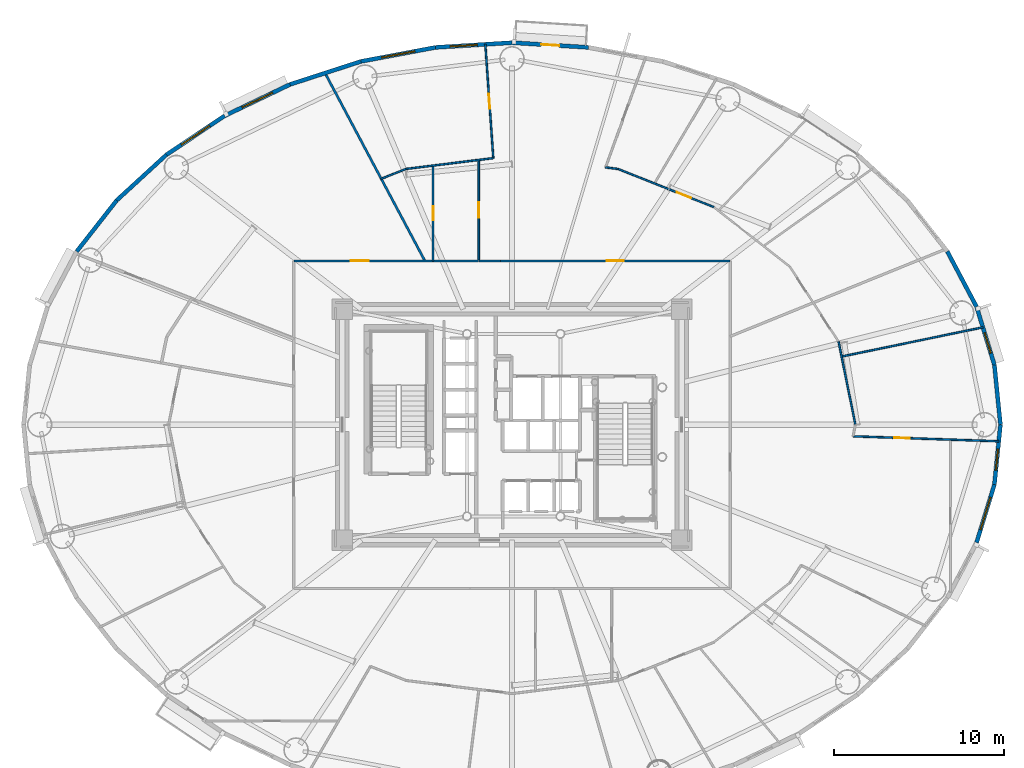
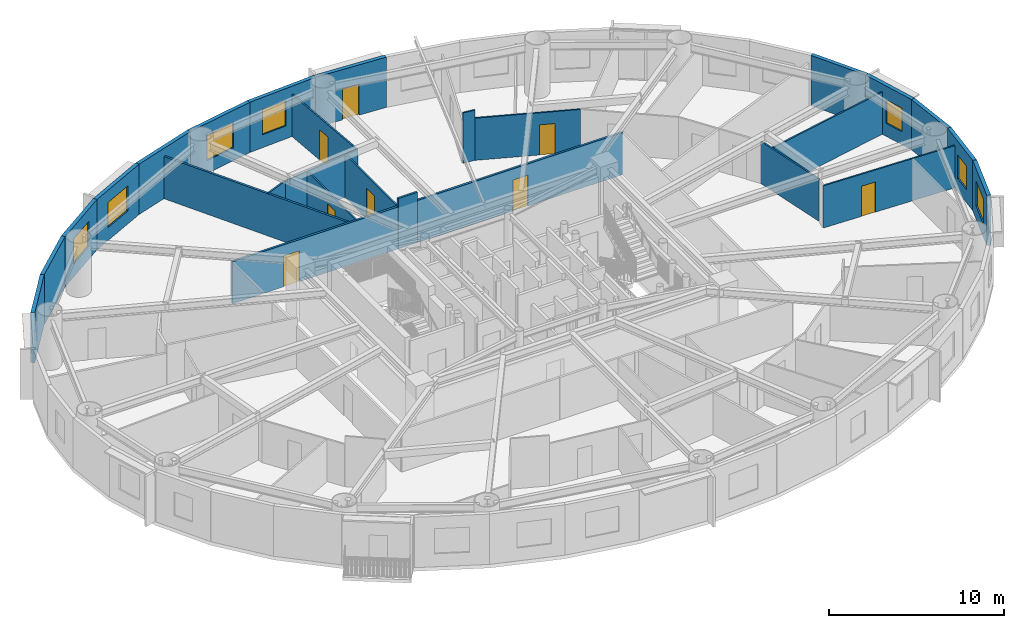
# One storey, part 15 of 22: 27 walls, 8 doors, 7 windows, 15 openings.
"""IFC4 building model written with IfcOpenShell, lengths in metres."""

from ifc_helpers import new_model, si_unit, direction, frame, frame_2d, origin, origin_2d, place, context, subcontext, project, spatial, rectangle, extrude, source, transform, mapped, material, layer, layer_set, type_object, element, fill, save


model = new_model("IFC4")

# Units and contexts
model_context = context("Model", 3, precision=1e-05, world=origin(), true_north=direction((0.0, 1.0)))
body_context = subcontext(model_context, "Body", "Model", "MODEL_VIEW")
ifc_project = project(units=[si_unit("LENGTHUNIT", "METRE"), si_unit("AREAUNIT", "SQUARE_METRE"), si_unit("VOLUMEUNIT", "CUBIC_METRE"), si_unit("PLANEANGLEUNIT", "RADIAN"), si_unit("MASSUNIT", "GRAM", prefix="KILO")], contexts=[model_context])

# Site, building, storey
site_placement = place(None, origin())
site = spatial("IfcSite", under=ifc_project, at=site_placement, CompositionType="ELEMENT")
building_placement = place(site_placement, origin())
building = spatial("IfcBuilding", under=site, at=building_placement, Name="Linh Dai School and Residence Tower", CompositionType="ELEMENT")
storey_placement = place(building_placement, frame((0.0, 0.0, 130.949951171875)))
storey = spatial("IfcBuildingStorey", under=building, at=storey_placement, Name="L31", CompositionType="ELEMENT", Elevation=130.949951171875)

# Wall
ifc_material_1 = material(Name="Precast Concrete B45 (C35/45)", Category="concrete")
ifc_layer_1 = layer(ifc_material_1, 0.239990234375)
ifc_layer_set_1 = layer_set([ifc_layer_1], Name="Precast Concrete B45 (C35/45)")
wall_type_1 = type_object("IfcWallType", Name="EW-TC-240", PredefinedType="SOLIDWALL", material=ifc_layer_set_1)
wall_1_placement = place(storey_placement, frame((64.421630859375, 30.515380859375, 0.0), z_axis=(0.0, 0.0, 1.0), x_axis=(0.099989468229, -0.994988495533, 0.0)))
element("IfcWall", 1, at=wall_1_placement, inside=storey, type_object=wall_type_1, Name="L31 Terracotta Exterior Wall 01", PredefinedType="SOLIDWALL", context=body_context, shape_type="SweptSolid", body=[
    extrude(rectangle(XDim=3.533203125, YDim=0.239990234375, at=frame_2d((1.7666015625, 0.0))), origin(), (0.0, 0.0, 1.0), 3.5),
])

# Wall, opening, window
wall_2_placement = place(storey_placement, frame((63.3701171875, 33.945068359375, 0.0), z_axis=(0.0, 0.0, 1.0), x_axis=(0.293124431344, -0.956074300329, 0.0)))
wall_2 = element("IfcWall", 2, at=wall_2_placement, inside=storey, type_object=wall_type_1, Name="L31 Terracotta Exterior Wall 02", PredefinedType="SOLIDWALL", context=body_context, shape_type="SweptSolid", body=[
    extrude(rectangle(XDim=3.587158203125, YDim=0.239990234375, at=frame_2d((1.79345703125, 0.0))), origin(), (0.0, 0.0, 1.0), 3.5),
])
opening_1_placement = place(wall_2_placement, frame((1.599365234375, 0.0, 0.89990234375)))
opening_1 = element("IfcOpeningElement", 3, at=opening_1_placement, cuts=wall_2, Name="Opening W3", PredefinedType="OPENING", context=body_context, shape_type="SweptSolid", body=[
    extrude(rectangle(XDim=1.25, YDim=1.64990234375, at=origin_2d()), frame((0.625, 0.1298828125, 0.824951171875), z_axis=(0.0, -1.0, 0.0), x_axis=(1.0, 0.0, 0.0)), (0.0, 0.0, 1.0), 0.260009765625),
])
ifc_material_2 = material(Name="Double Low-E Insulated Glazing", Category="glass")
window_type_1 = type_object("IfcWindowType", Name="WN-RES-1250x1650", PartitioningType="SINGLE_PANEL", PredefinedType="WINDOW", material=ifc_material_2)
shared_shape_1 = source(origin(), body_context, "Body", "SweptSolid", [
    extrude(rectangle(XDim=1.25, YDim=1.64990234375, at=origin_2d()), frame((0.625, 0.030029296875, 0.824951171875), z_axis=(0.0, -1.0, 0.0), x_axis=(1.0, 0.0, 0.0)), (0.0, 0.0, 1.0), 0.06005859375),
])
window_1_placement = place(opening_1_placement, origin())
window_1 = element("IfcWindow", 4, at=window_1_placement, inside=storey, type_object=window_type_1, Name="L31 Exterior Window 02.1", OverallHeight=1.64990234375, OverallWidth=1.25, PartitioningType="SINGLE_PANEL", PredefinedType="WINDOW", context=body_context, shape_type="MappedRepresentation", body=[
    mapped(shared_shape_1, transform((0.0, 0.0, 0.0), x_axis=(1.0, 0.0, 0.0), y_axis=(0.0, 1.0, 0.0), z_axis=(0.0, 0.0, 1.0), scale=1.0)),
])
fill(opening_1, window_1)

# Wall
wall_3_placement = place(storey_placement, frame((61.645263671875, 37.20556640625, 0.0), z_axis=(0.0, 0.0, 1.0), x_axis=(0.467614004126, -0.883932770716, 0.0)))
element("IfcWall", 5, at=wall_3_placement, inside=storey, type_object=wall_type_1, Name="L31 Terracotta Exterior Wall 03", PredefinedType="SOLIDWALL", context=body_context, shape_type="SweptSolid", body=[
    extrude(rectangle(XDim=3.688720703125, YDim=0.239990234375, at=frame_2d((1.84423828125, 0.0))), origin(), (0.0, 0.0, 1.0), 3.5),
])

# Wall, opening, door
wall_4_placement = place(storey_placement, frame((36.0, 49.5048828125, 0.0), z_axis=(0.0, 0.0, 1.0), x_axis=(0.998107531589, -0.061492726276, 0.0)))
wall_4 = element("IfcWall", 6, at=wall_4_placement, inside=storey, type_object=wall_type_1, Name="L31 Terracotta Exterior Wall 10", PredefinedType="SOLIDWALL", context=body_context, shape_type="SweptSolid", body=[
    extrude(rectangle(XDim=4.51416015625, YDim=0.239990234375, at=frame_2d((2.257080078125, 0.0))), origin(), (0.0, 0.0, 1.0), 3.5),
])
opening_2_placement = place(wall_4_placement, frame((1.732177734375, 0.0, 0.0)))
opening_2 = element("IfcOpeningElement", 7, at=opening_2_placement, cuts=wall_4, Name="Opening BD1", PredefinedType="OPENING", context=body_context, shape_type="SweptSolid", body=[
    extrude(rectangle(XDim=1.050048828125, YDim=2.14990234375, at=origin_2d()), frame((0.52490234375, 0.1298828125, 1.074951171875), z_axis=(0.0, -1.0, 0.0), x_axis=(1.0, 0.0, 0.0)), (0.0, 0.0, 1.0), 0.260009765625),
])
ifc_material_3 = material(Name="Double-Glazed Balcony Door", Category="glass")
door_type_1 = type_object("IfcDoorType", Name="DR-BALC-1050x2150", OperationType="NOTDEFINED", PredefinedType="DOOR", material=ifc_material_3)
shared_shape_2 = source(origin(), body_context, "Body", "SweptSolid", [
    extrude(rectangle(XDim=1.050048828125, YDim=2.14990234375, at=origin_2d()), frame((0.52490234375, 0.02490234375, 1.074951171875), z_axis=(0.0, -1.0, 0.0), x_axis=(1.0, 0.0, 0.0)), (0.0, 0.0, 1.0), 0.050048828125),
])
door_1_placement = place(opening_2_placement, origin())
door_1 = element("IfcDoor", 8, at=door_1_placement, inside=storey, type_object=door_type_1, Name="L31 Glazed Balcony Door 10", OperationType="SINGLE_SWING_RIGHT", OverallHeight=2.14990234375, OverallWidth=1.050048828125, PredefinedType="DOOR", context=body_context, shape_type="MappedRepresentation", body=[
    mapped(shared_shape_2, transform((0.0, 0.0, 0.0), x_axis=(1.0, 0.0, 0.0), y_axis=(0.0, 1.0, 0.0), z_axis=(0.0, 0.0, 1.0), scale=1.0)),
])
fill(opening_2, door_1)

# Wall, opening, window
wall_5_placement = place(storey_placement, frame((31.494384765625, 49.227294921875, 0.0), z_axis=(0.0, 0.0, 1.0), x_axis=(0.998107531589, 0.061492726276, 0.0)))
wall_5 = element("IfcWall", 9, at=wall_5_placement, inside=storey, type_object=wall_type_1, Name="L31 Terracotta Exterior Wall 11", PredefinedType="SOLIDWALL", context=body_context, shape_type="SweptSolid", body=[
    extrude(rectangle(XDim=4.51416015625, YDim=0.239990234375, at=frame_2d((2.257080078125, 0.0))), origin(), (0.0, 0.0, 1.0), 3.5),
])
opening_3_placement = place(wall_5_placement, frame((0.864501953125, 0.0, 0.89990234375)))
opening_3 = element("IfcOpeningElement", 10, at=opening_3_placement, cuts=wall_5, Name="Opening W2", PredefinedType="OPENING", context=body_context, shape_type="SweptSolid", body=[
    extrude(rectangle(XDim=1.60009765625, YDim=1.75, at=origin_2d()), frame((0.800048828125, 0.1298828125, 0.875), z_axis=(0.0, -1.0, 0.0), x_axis=(1.0, 0.0, 0.0)), (0.0, 0.0, 1.0), 0.260009765625),
])
window_type_2 = type_object("IfcWindowType", Name="WN-RES-1600x1750", PartitioningType="DOUBLE_PANEL_VERTICAL", PredefinedType="WINDOW", material=ifc_material_2)
shared_shape_3 = source(origin(), body_context, "Body", "SweptSolid", [
    extrude(rectangle(XDim=1.60009765625, YDim=1.75, at=origin_2d()), frame((0.800048828125, 0.030029296875, 0.875), z_axis=(0.0, -1.0, 0.0), x_axis=(1.0, 0.0, 0.0)), (0.0, 0.0, 1.0), 0.06005859375),
])
window_2_placement = place(opening_3_placement, origin())
window_2 = element("IfcWindow", 11, at=window_2_placement, inside=storey, type_object=window_type_2, Name="L31 Exterior Window 11.1", OverallHeight=1.75, OverallWidth=1.60009765625, PartitioningType="DOUBLE_PANEL_VERTICAL", PredefinedType="WINDOW", context=body_context, shape_type="MappedRepresentation", body=[
    mapped(shared_shape_3, transform((0.0, 0.0, 0.0), x_axis=(1.0, 0.0, 0.0), y_axis=(0.0, 1.0, 0.0), z_axis=(0.0, 0.0, 1.0), scale=1.0)),
])
fill(opening_3, window_2)

wall_6_placement = place(storey_placement, frame((27.100341796875, 48.4013671875, 0.0), z_axis=(0.0, 0.0, 1.0), x_axis=(0.982789252177, 0.184730305596, 0.0)))
wall_6 = element("IfcWall", 12, at=wall_6_placement, inside=storey, type_object=wall_type_1, Name="L31 Terracotta Exterior Wall 12", PredefinedType="SOLIDWALL", context=body_context, shape_type="SweptSolid", body=[
    extrude(rectangle(XDim=4.470947265625, YDim=0.239990234375, at=frame_2d((2.2353515625, 0.0))), origin(), (0.0, 0.0, 1.0), 3.5),
])
opening_4_placement = place(wall_6_placement, frame((1.235595703125, 0.0, 0.89990234375)))
opening_4 = element("IfcOpeningElement", 13, at=opening_4_placement, cuts=wall_6, Name="Opening W1", PredefinedType="OPENING", context=body_context, shape_type="SweptSolid", body=[
    extrude(rectangle(XDim=2.0, YDim=1.75, at=origin_2d()), frame((1.0, 0.1298828125, 0.875), z_axis=(0.0, -1.0, 0.0), x_axis=(1.0, 0.0, 0.0)), (0.0, 0.0, 1.0), 0.260009765625),
])
window_type_3 = type_object("IfcWindowType", Name="WN-RES-2000x1750", PartitioningType="DOUBLE_PANEL_VERTICAL", PredefinedType="WINDOW", material=ifc_material_2)
shared_shape_4 = source(origin(), body_context, "Body", "SweptSolid", [
    extrude(rectangle(XDim=2.0, YDim=1.75, at=origin_2d()), frame((1.0, 0.030029296875, 0.875), z_axis=(0.0, -1.0, 0.0), x_axis=(1.0, 0.0, 0.0)), (0.0, 0.0, 1.0), 0.06005859375),
])
window_3_placement = place(opening_4_placement, origin())
window_3 = element("IfcWindow", 14, at=window_3_placement, inside=storey, type_object=window_type_3, Name="L31 Exterior Window 12.1", OverallHeight=1.75, OverallWidth=2.0, PartitioningType="DOUBLE_PANEL_VERTICAL", PredefinedType="WINDOW", context=body_context, shape_type="MappedRepresentation", body=[
    mapped(shared_shape_4, transform((0.0, 0.0, 0.0), x_axis=(1.0, 0.0, 0.0), y_axis=(0.0, 1.0, 0.0), z_axis=(0.0, 0.0, 1.0), scale=1.0)),
])
fill(opening_4, window_3)

# Wall
wall_7_placement = place(storey_placement, frame((22.926025390625, 47.04736328125, 0.0), z_axis=(0.0, 0.0, 1.0), x_axis=(0.951211346073, 0.308540070495, 0.0)))
element("IfcWall", 15, at=wall_7_placement, inside=storey, type_object=wall_type_1, Name="L31 Terracotta Exterior Wall 13", PredefinedType="SOLIDWALL", context=body_context, shape_type="SweptSolid", body=[
    extrude(rectangle(XDim=4.388427734375, YDim=0.239990234375, at=frame_2d((2.1943359375, 0.0))), origin(), (0.0, 0.0, 1.0), 3.5),
])

# Wall, opening, window
wall_8_placement = place(storey_placement, frame((19.07470703125, 45.199462890625, 0.0), z_axis=(0.0, 0.0, 1.0), x_axis=(0.901589935876, 0.432591709962, 0.0)))
wall_8 = element("IfcWall", 16, at=wall_8_placement, inside=storey, type_object=wall_type_1, Name="L31 Terracotta Exterior Wall 14", PredefinedType="SOLIDWALL", context=body_context, shape_type="SweptSolid", body=[
    extrude(rectangle(XDim=4.271728515625, YDim=0.239990234375, at=frame_2d((2.1357421875, 0.0))), origin(), (0.0, 0.0, 1.0), 3.5),
])
opening_5_placement = place(wall_8_placement, frame((1.135986328125, 0.0, 0.89990234375)))
opening_5 = element("IfcOpeningElement", 17, at=opening_5_placement, cuts=wall_8, Name="Opening W1", PredefinedType="OPENING", context=body_context, shape_type="SweptSolid", body=[
    extrude(rectangle(XDim=2.0, YDim=1.75, at=origin_2d()), frame((1.0, 0.1298828125, 0.875), z_axis=(0.0, -1.0, 0.0), x_axis=(1.0, 0.0, 0.0)), (0.0, 0.0, 1.0), 0.260009765625),
])
window_4_placement = place(opening_5_placement, origin())
window_4 = element("IfcWindow", 18, at=window_4_placement, inside=storey, type_object=window_type_3, Name="L31 Exterior Window 14.1", OverallHeight=1.75, OverallWidth=2.0, PartitioningType="DOUBLE_PANEL_VERTICAL", PredefinedType="WINDOW", context=body_context, shape_type="MappedRepresentation", body=[
    mapped(shared_shape_4, transform((0.0, 0.0, 0.0), x_axis=(1.0, 0.0, 0.0), y_axis=(0.0, 1.0, 0.0), z_axis=(0.0, 0.0, 1.0), scale=1.0)),
])
fill(opening_5, window_4)

wall_9_placement = place(storey_placement, frame((15.6416015625, 42.9033203125, 0.0), z_axis=(0.0, 0.0, 1.0), x_axis=(0.831221811447, 0.555940914284, 0.0)))
wall_9 = element("IfcWall", 19, at=wall_9_placement, inside=storey, type_object=wall_type_1, Name="L31 Terracotta Exterior Wall 15", PredefinedType="SOLIDWALL", context=body_context, shape_type="SweptSolid", body=[
    extrude(rectangle(XDim=4.130126953125, YDim=0.239990234375, at=frame_2d((2.06494140625, 0.0))), origin(), (0.0, 0.0, 1.0), 3.5),
])
opening_6_placement = place(wall_9_placement, frame((1.065185546875, 0.0, 0.89990234375)))
opening_6 = element("IfcOpeningElement", 20, at=opening_6_placement, cuts=wall_9, Name="Opening W1", PredefinedType="OPENING", context=body_context, shape_type="SweptSolid", body=[
    extrude(rectangle(XDim=2.0, YDim=1.75, at=origin_2d()), frame((1.0, 0.1298828125, 0.875), z_axis=(0.0, -1.0, 0.0), x_axis=(1.0, 0.0, 0.0)), (0.0, 0.0, 1.0), 0.260009765625),
])
window_5_placement = place(opening_6_placement, origin())
window_5 = element("IfcWindow", 21, at=window_5_placement, inside=storey, type_object=window_type_3, Name="L31 Exterior Window 15.1", OverallHeight=1.75, OverallWidth=2.0, PartitioningType="DOUBLE_PANEL_VERTICAL", PredefinedType="WINDOW", context=body_context, shape_type="MappedRepresentation", body=[
    mapped(shared_shape_4, transform((0.0, 0.0, 0.0), x_axis=(1.0, 0.0, 0.0), y_axis=(0.0, 1.0, 0.0), z_axis=(0.0, 0.0, 1.0), scale=1.0)),
])
fill(opening_6, window_5)

# Walls
wall_10_placement = place(storey_placement, frame((12.7109375, 40.216552734375, 0.0), z_axis=(0.0, 0.0, 1.0), x_axis=(0.737113356241, 0.675769117414, 0.0)))
element("IfcWall", 22, at=wall_10_placement, inside=storey, type_object=wall_type_1, Name="L31 Terracotta Exterior Wall 16", PredefinedType="SOLIDWALL", context=body_context, shape_type="SweptSolid", body=[
    extrude(rectangle(XDim=3.975830078125, YDim=0.239990234375, at=frame_2d((1.98779296875, 0.0))), origin(), (0.0, 0.0, 1.0), 3.5),
])
wall_11_placement = place(storey_placement, frame((10.354736328125, 37.20556640625, 0.0), z_axis=(0.0, 0.0, 1.0), x_axis=(0.616272103517, 0.787533297345, 0.0)))
element("IfcWall", 23, at=wall_11_placement, inside=storey, type_object=wall_type_1, Name="L31 Terracotta Exterior Wall 17", PredefinedType="SOLIDWALL", context=body_context, shape_type="SweptSolid", body=[
    extrude(rectangle(XDim=3.8232421875, YDim=0.239990234375, at=frame_2d((1.91162109375, 0.0))), origin(), (0.0, 0.0, 1.0), 3.5),
])

# Wall, opening, window
wall_12_placement = place(storey_placement, frame((64.421630859375, 23.484619140625, 0.0), z_axis=(0.0, 0.0, 1.0), x_axis=(-0.293124431344, -0.956074300329, 0.0)))
wall_12 = element("IfcWall", 24, at=wall_12_placement, inside=storey, type_object=wall_type_1, Name="L31 Terracotta Exterior Wall 39", PredefinedType="SOLIDWALL", context=body_context, shape_type="SweptSolid", body=[
    extrude(rectangle(XDim=3.587158203125, YDim=0.239990234375, at=frame_2d((1.79345703125, 0.0))), origin(), (0.0, 0.0, 1.0), 3.5),
])
opening_7_placement = place(wall_12_placement, frame((0.793701171875, 0.0, 0.89990234375)))
opening_7 = element("IfcOpeningElement", 25, at=opening_7_placement, cuts=wall_12, Name="Opening W1", PredefinedType="OPENING", context=body_context, shape_type="SweptSolid", body=[
    extrude(rectangle(XDim=2.0, YDim=1.75, at=origin_2d()), frame((1.0, 0.1298828125, 0.875), z_axis=(0.0, -1.0, 0.0), x_axis=(1.0, 0.0, 0.0)), (0.0, 0.0, 1.0), 0.260009765625),
])
window_6_placement = place(opening_7_placement, origin())
window_6 = element("IfcWindow", 26, at=window_6_placement, inside=storey, type_object=window_type_3, Name="L31 Exterior Window 39.1", OverallHeight=1.75, OverallWidth=2.0, PartitioningType="DOUBLE_PANEL_VERTICAL", PredefinedType="WINDOW", context=body_context, shape_type="MappedRepresentation", body=[
    mapped(shared_shape_4, transform((0.0, 0.0, 0.0), x_axis=(1.0, 0.0, 0.0), y_axis=(0.0, 1.0, 0.0), z_axis=(0.0, 0.0, 1.0), scale=1.0)),
])
fill(opening_7, window_6)

wall_13_placement = place(storey_placement, frame((64.77490234375, 27.0, 0.0), z_axis=(0.0, 0.0, 1.0), x_axis=(-0.099989468229, -0.994988495533, 0.0)))
wall_13 = element("IfcWall", 27, at=wall_13_placement, inside=storey, type_object=wall_type_1, Name="L31 Terracotta Exterior Wall 40", PredefinedType="SOLIDWALL", context=body_context, shape_type="SweptSolid", body=[
    extrude(rectangle(XDim=3.533203125, YDim=0.239990234375, at=frame_2d((1.7666015625, 0.0))), origin(), (0.0, 0.0, 1.0), 3.5),
])
opening_8_placement = place(wall_13_placement, frame((1.43994140625, 0.0, 0.89990234375)))
opening_8 = element("IfcOpeningElement", 28, at=opening_8_placement, cuts=wall_13, Name="Opening W3", PredefinedType="OPENING", context=body_context, shape_type="SweptSolid", body=[
    extrude(rectangle(XDim=1.25, YDim=1.64990234375, at=origin_2d()), frame((0.625, 0.1298828125, 0.824951171875), z_axis=(0.0, -1.0, 0.0), x_axis=(1.0, 0.0, 0.0)), (0.0, 0.0, 1.0), 0.260009765625),
])
window_7_placement = place(opening_8_placement, origin())
window_7 = element("IfcWindow", 29, at=window_7_placement, inside=storey, type_object=window_type_1, Name="L31 Exterior Window 40.1", OverallHeight=1.64990234375, OverallWidth=1.25, PartitioningType="SINGLE_PANEL", PredefinedType="WINDOW", context=body_context, shape_type="MappedRepresentation", body=[
    mapped(shared_shape_1, transform((0.0, 0.0, 0.0), x_axis=(1.0, 0.0, 0.0), y_axis=(0.0, 1.0, 0.0), z_axis=(0.0, 0.0, 1.0), scale=1.0)),
])
fill(opening_8, window_7)

# Wall, opening, door
ifc_material_4 = material(Name="Autoclaved Aerated Concrete Blockwork", Category="masonry")
ifc_layer_2 = layer(ifc_material_4, 0.135009765625)
ifc_layer_set_2 = layer_set([ifc_layer_2], Name="Autoclaved Aerated Concrete Blockwork")
wall_type_2 = type_object("IfcWallType", Name="IW-CORR-135-EI90", PredefinedType="PARTITIONING", material=ifc_layer_set_2)
wall_14_placement = place(storey_placement, frame((23.14990234375, 36.64990234375, 0.0), z_axis=(0.0, 0.0, 1.0), x_axis=(1.0, 0.0, 0.0)))
wall_14 = element("IfcWall", 30, at=wall_14_placement, inside=storey, type_object=wall_type_2, Name="L31 Interior Partition Wall 019", PredefinedType="PARTITIONING", context=body_context, shape_type="SweptSolid", body=[
    extrude(rectangle(XDim=10.889404296875, YDim=0.135009765625, at=frame_2d((5.44482421875, 0.0))), origin(), (0.0, 0.0, 1.0), 2.93505859375),
])
opening_9_placement = place(wall_14_placement, frame((3.3544921875, 0.0, 0.0)))
opening_9 = element("IfcOpeningElement", 31, at=opening_9_placement, cuts=wall_14, Name="Opening D04", PredefinedType="OPENING", context=body_context, shape_type="SweptSolid", body=[
    extrude(rectangle(XDim=1.050048828125, YDim=2.14990234375, at=origin_2d()), frame((0.52490234375, 0.07763671875, 1.074951171875), z_axis=(0.0, -1.0, 0.0), x_axis=(1.0, 0.0, 0.0)), (0.0, 0.0, 1.0), 0.155029296875),
])
ifc_material_5 = material(Name="Acoustic Vision-Panel Timber Classroom Door", Category="wood")
door_type_2 = type_object("IfcDoorType", Name="DR-SCH-1050x2150-FD60S", OperationType="NOTDEFINED", PredefinedType="DOOR", material=ifc_material_5)
door_2_placement = place(opening_9_placement, origin())
door_2 = element("IfcDoor", 32, at=door_2_placement, inside=storey, type_object=door_type_2, Name="L31 Children Indoor Playroom Door", OperationType="SINGLE_SWING_LEFT", OverallHeight=2.14990234375, OverallWidth=1.050048828125, PredefinedType="DOOR", context=body_context, shape_type="MappedRepresentation", body=[
    mapped(shared_shape_2, transform((0.0, 0.0, 0.0), x_axis=(1.0, 0.0, 0.0), y_axis=(0.0, 1.0, 0.0), z_axis=(0.0, 0.0, 1.0), scale=1.0)),
])
fill(opening_9, door_2)

# Wall
wall_15_placement = place(storey_placement, frame((24.983154296875, 47.7197265625, 0.0), z_axis=(0.0, 0.0, 1.0), x_axis=(0.469467959591, -0.882949508702, 0.0)))
element("IfcWall", 33, at=wall_15_placement, inside=storey, type_object=wall_type_2, Name="L31 Interior Partition Wall 021", PredefinedType="PARTITIONING", context=body_context, shape_type="SweptSolid", body=[
    extrude(rectangle(XDim=12.537109375, YDim=0.135009765625, at=frame_2d((6.2685546875, 0.0))), origin(), (0.0, 0.0, 1.0), 2.93505859375),
])

# Wall, opening, door
wall_16_placement = place(storey_placement, frame((35.323486328125, 36.64990234375, 0.0), z_axis=(0.0, 0.0, 1.0), x_axis=(1.0, 0.0, 0.0)))
wall_16 = element("IfcWall", 34, at=wall_16_placement, inside=storey, type_object=wall_type_2, Name="L31 Interior Partition Wall 045", PredefinedType="PARTITIONING", context=body_context, shape_type="SweptSolid", body=[
    extrude(rectangle(XDim=13.526611328125, YDim=0.135009765625, at=frame_2d((6.76318359375, 0.0))), origin(), (0.0, 0.0, 1.0), 2.93505859375),
])
opening_10_placement = place(wall_16_placement, frame((6.26318359375, 0.0, 0.0)))
opening_10 = element("IfcOpeningElement", 35, at=opening_10_placement, cuts=wall_16, Name="Opening D03", PredefinedType="OPENING", context=body_context, shape_type="SweptSolid", body=[
    extrude(rectangle(XDim=1.0, YDim=2.14990234375, at=origin_2d()), frame((0.5, 0.07763671875, 1.074951171875), z_axis=(0.0, -1.0, 0.0), x_axis=(1.0, 0.0, 0.0)), (0.0, 0.0, 1.0), 0.155029296875),
])
ifc_material_6 = material(Name="Fire-Rated Solid Timber Entrance Door", Category="wood")
door_type_3 = type_object("IfcDoorType", Name="DR-FLAT-1000x2150-FD60S", OperationType="NOTDEFINED", PredefinedType="DOOR", material=ifc_material_6)
shared_shape_5 = source(origin(), body_context, "Body", "SweptSolid", [
    extrude(rectangle(XDim=1.0, YDim=2.14990234375, at=origin_2d()), frame((0.5, 0.02490234375, 1.074951171875), z_axis=(0.0, -1.0, 0.0), x_axis=(1.0, 0.0, 0.0)), (0.0, 0.0, 1.0), 0.050048828125),
])
door_3_placement = place(opening_10_placement, origin())
door_3 = element("IfcDoor", 36, at=door_3_placement, inside=storey, type_object=door_type_3, Name="L31 U3103 Apartment Entrance Door", OperationType="SINGLE_SWING_LEFT", OverallHeight=2.14990234375, OverallWidth=1.0, PredefinedType="DOOR", context=body_context, shape_type="MappedRepresentation", body=[
    mapped(shared_shape_5, transform((0.0, 0.0, 0.0), x_axis=(1.0, 0.0, 0.0), y_axis=(0.0, 1.0, 0.0), z_axis=(0.0, 0.0, 1.0), scale=1.0)),
])
fill(opening_10, door_3)

# Walls
wall_17_placement = place(storey_placement, frame((34.04931640625, 36.64990234375, 0.0), z_axis=(0.0, 0.0, 1.0), x_axis=(1.0, 0.0, 0.0)))
element("IfcWall", 37, at=wall_17_placement, inside=storey, type_object=wall_type_2, Name="L31 Interior Partition Wall 103", PredefinedType="PARTITIONING", context=body_context, shape_type="SweptSolid", body=[
    extrude(rectangle(XDim=1.26416015625, YDim=0.135009765625, at=frame_2d((0.632080078125, 0.0))), origin(), (0.0, 0.0, 1.0), 3.5),
])
ifc_material_7 = material(Name="Gypsum Plasterboard Acoustic Stud Partition", Category="masonry")
ifc_layer_3 = layer(ifc_material_7, 0.10009765625)
ifc_layer_set_3 = layer_set([ifc_layer_3], Name="Gypsum Plasterboard Acoustic Stud Partition")
wall_type_3 = type_object("IfcWallType", Name="IW-UNIT-100", PredefinedType="PARTITIONING", material=ifc_layer_set_3)
wall_18_placement = place(storey_placement, frame((28.29736328125, 41.486572265625, 0.0), z_axis=(0.0, 0.0, 1.0), x_axis=(0.928778117732, 0.370636220602, 0.0)))
element("IfcWall", 38, at=wall_18_placement, inside=storey, type_object=wall_type_3, Name="L31 Interior Partition Wall 024", PredefinedType="PARTITIONING", context=body_context, shape_type="SweptSolid", body=[
    extrude(rectangle(XDim=1.5625, YDim=0.10009765625, at=frame_2d((0.78125, 0.0))), origin(), (0.0, 0.0, 1.0), 2.93505859375),
])
wall_19_placement = place(storey_placement, frame((29.74853515625, 42.065673828125, 0.0), z_axis=(0.0, 0.0, 1.0), x_axis=(0.992399697935, 0.123056245428, 0.0)))
element("IfcWall", 39, at=wall_19_placement, inside=storey, type_object=wall_type_3, Name="L31 Interior Partition Wall 026", PredefinedType="PARTITIONING", context=body_context, shape_type="SweptSolid", body=[
    extrude(rectangle(XDim=5.190185546875, YDim=0.10009765625, at=frame_2d((2.59521484375, 0.0))), origin(), (0.0, 0.0, 1.0), 2.93505859375),
])

# Wall, opening, door
wall_20_placement = place(storey_placement, frame((31.3515625, 36.64990234375, 0.0), z_axis=(0.0, 0.0, 1.0), x_axis=(0.0, 1.0, 0.0)))
wall_20 = element("IfcWall", 40, at=wall_20_placement, inside=storey, type_object=wall_type_3, Name="L31 Interior Partition Wall 028", PredefinedType="PARTITIONING", context=body_context, shape_type="SweptSolid", body=[
    extrude(rectangle(XDim=5.614501953125, YDim=0.10009765625, at=frame_2d((2.80712890625, 0.0))), origin(), (0.0, 0.0, 1.0), 2.93505859375),
])
opening_11_placement = place(wall_20_placement, frame((2.397216796875, 0.0, 0.0)))
opening_11 = element("IfcOpeningElement", 41, at=opening_11_placement, cuts=wall_20, Name="Opening D06", PredefinedType="OPENING", context=body_context, shape_type="SweptSolid", body=[
    extrude(rectangle(XDim=0.820068359375, YDim=2.10009765625, at=origin_2d()), frame((0.41015625, 0.06005859375, 1.050048828125), z_axis=(0.0, -1.0, 0.0), x_axis=(1.0, 0.0, 0.0)), (0.0, 0.0, 1.0), 0.1201171875),
])
ifc_material_8 = material(Name="Moisture-Resistant Timber Bathroom Door", Category="wood")
door_type_4 = type_object("IfcDoorType", Name="DR-WET-820x2100", OperationType="NOTDEFINED", PredefinedType="DOOR", material=ifc_material_8)
shared_shape_6 = source(origin(), body_context, "Body", "SweptSolid", [
    extrude(rectangle(XDim=0.820068359375, YDim=2.10009765625, at=origin_2d()), frame((0.41015625, 0.02490234375, 1.050048828125), z_axis=(0.0, -1.0, 0.0), x_axis=(1.0, 0.0, 0.0)), (0.0, 0.0, 1.0), 0.050048828125),
])
door_4_placement = place(opening_11_placement, origin())
door_4 = element("IfcDoor", 42, at=door_4_placement, inside=storey, type_object=door_type_4, Name="L31 Apartment U3103 Bathroom 1 Door", OperationType="SINGLE_SWING_RIGHT", OverallHeight=2.10009765625, OverallWidth=0.820068359375, PredefinedType="DOOR", context=body_context, shape_type="MappedRepresentation", body=[
    mapped(shared_shape_6, transform((0.0, 0.0, 0.0), x_axis=(1.0, 0.0, 0.0), y_axis=(0.0, 1.0, 0.0), z_axis=(0.0, 0.0, 1.0), scale=1.0)),
])
fill(opening_11, door_4)

wall_21_placement = place(storey_placement, frame((34.039306640625, 36.714111328125, 0.0), z_axis=(0.0, 0.0, 1.0), x_axis=(0.0, 1.0, 0.0)))
wall_21 = element("IfcWall", 43, at=wall_21_placement, inside=storey, type_object=wall_type_3, Name="L31 Interior Partition Wall 037", PredefinedType="PARTITIONING", context=body_context, shape_type="SweptSolid", body=[
    extrude(rectangle(XDim=5.8837890625, YDim=0.10009765625, at=frame_2d((2.94189453125, 0.0))), origin(), (0.0, 0.0, 1.0), 2.985107421875),
])
opening_12_placement = place(wall_21_placement, frame((2.491943359375, 0.0, 0.0)))
opening_12 = element("IfcOpeningElement", 44, at=opening_12_placement, cuts=wall_21, Name="Opening D05", PredefinedType="OPENING", context=body_context, shape_type="SweptSolid", body=[
    extrude(rectangle(XDim=0.89990234375, YDim=2.10009765625, at=origin_2d()), frame((0.449951171875, 0.06005859375, 1.050048828125), z_axis=(0.0, -1.0, 0.0), x_axis=(1.0, 0.0, 0.0)), (0.0, 0.0, 1.0), 0.1201171875),
])
ifc_material_9 = material(Name="Engineered Timber Internal Door", Category="wood")
door_type_5 = type_object("IfcDoorType", Name="DR-INT-900x2100", OperationType="NOTDEFINED", PredefinedType="DOOR", material=ifc_material_9)
shared_shape_7 = source(origin(), body_context, "Body", "SweptSolid", [
    extrude(rectangle(XDim=0.89990234375, YDim=2.10009765625, at=origin_2d()), frame((0.449951171875, 0.02490234375, 1.050048828125), z_axis=(0.0, -1.0, 0.0), x_axis=(1.0, 0.0, 0.0)), (0.0, 0.0, 1.0), 0.050048828125),
])
door_5_placement = place(opening_12_placement, origin())
door_5 = element("IfcDoor", 45, at=door_5_placement, inside=storey, type_object=door_type_5, Name="L31 Apartment U3103 Kitchen Door", OperationType="SINGLE_SWING_LEFT", OverallHeight=2.10009765625, OverallWidth=0.89990234375, PredefinedType="DOOR", context=body_context, shape_type="MappedRepresentation", body=[
    mapped(shared_shape_7, transform((0.0, 0.0, 0.0), x_axis=(1.0, 0.0, 0.0), y_axis=(0.0, 1.0, 0.0), z_axis=(0.0, 0.0, 1.0), scale=1.0)),
])
fill(opening_12, door_5)

wall_22_placement = place(storey_placement, frame((34.4287109375, 49.4130859375, 0.0), z_axis=(0.0, 0.0, 1.0), x_axis=(0.069954481801, -0.99755018444, 0.0)))
wall_22 = element("IfcWall", 46, at=wall_22_placement, inside=storey, type_object=wall_type_3, Name="L31 Interior Partition Wall 038", PredefinedType="PARTITIONING", context=body_context, shape_type="SweptSolid", body=[
    extrude(rectangle(XDim=6.72509765625, YDim=0.10009765625, at=frame_2d((3.362548828125, 0.0))), origin(), (0.0, 0.0, 1.0), 2.93505859375),
])
opening_13_placement = place(wall_22_placement, frame((2.91259765625, 0.0, 0.0)))
opening_13 = element("IfcOpeningElement", 47, at=opening_13_placement, cuts=wall_22, Name="Opening D05", PredefinedType="OPENING", context=body_context, shape_type="SweptSolid", body=[
    extrude(rectangle(XDim=0.89990234375, YDim=2.10009765625, at=origin_2d()), frame((0.449951171875, 0.06005859375, 1.050048828125), z_axis=(0.0, -1.0, 0.0), x_axis=(1.0, 0.0, 0.0)), (0.0, 0.0, 1.0), 0.1201171875),
])
door_6_placement = place(opening_13_placement, origin())
door_6 = element("IfcDoor", 48, at=door_6_placement, inside=storey, type_object=door_type_5, Name="L31 Apartment U3103 Principal Bedroom 3 Door", OperationType="SINGLE_SWING_RIGHT", OverallHeight=2.10009765625, OverallWidth=0.89990234375, PredefinedType="DOOR", context=body_context, shape_type="MappedRepresentation", body=[
    mapped(shared_shape_7, transform((0.0, 0.0, 0.0), x_axis=(1.0, 0.0, 0.0), y_axis=(0.0, 1.0, 0.0), z_axis=(0.0, 0.0, 1.0), scale=1.0)),
])
fill(opening_13, door_6)

# Wall
wall_23_placement = place(storey_placement, frame((41.510986328125, 42.157470703125, 0.0), z_axis=(0.0, 0.0, 1.0), x_axis=(0.992403212837, -0.123027895822, 0.0)))
element("IfcWall", 49, at=wall_23_placement, inside=storey, type_object=wall_type_3, Name="L31 Interior Partition Wall 069", PredefinedType="PARTITIONING", context=body_context, shape_type="SweptSolid", body=[
    extrude(rectangle(XDim=0.74609375, YDim=0.10009765625, at=frame_2d((0.373046875, 0.0))), origin(), (0.0, 0.0, 1.0), 3.5),
])

# Wall, opening, door
wall_24_placement = place(storey_placement, frame((42.25146484375, 42.065673828125, 0.0), z_axis=(0.0, 0.0, 1.0), x_axis=(0.928803554156, -0.370572473055, 0.0)))
wall_24 = element("IfcWall", 50, at=wall_24_placement, inside=storey, type_object=wall_type_3, Name="L31 Interior Partition Wall 073", PredefinedType="PARTITIONING", context=body_context, shape_type="SweptSolid", body=[
    extrude(rectangle(XDim=6.07177734375, YDim=0.10009765625, at=frame_2d((3.035888671875, 0.0))), origin(), (0.0, 0.0, 1.0), 2.93505859375),
])
opening_14_placement = place(wall_24_placement, frame((3.71923828125, 0.0, 0.0)))
opening_14 = element("IfcOpeningElement", 51, at=opening_14_placement, cuts=wall_24, Name="Opening D05", PredefinedType="OPENING", context=body_context, shape_type="SweptSolid", body=[
    extrude(rectangle(XDim=0.89990234375, YDim=2.10009765625, at=origin_2d()), frame((0.449951171875, 0.06005859375, 1.050048828125), z_axis=(0.0, -1.0, 0.0), x_axis=(1.0, 0.0, 0.0)), (0.0, 0.0, 1.0), 0.1201171875),
])
door_7_placement = place(opening_14_placement, origin())
door_7 = element("IfcDoor", 52, at=door_7_placement, inside=storey, type_object=door_type_5, Name="L31 Apartment U3103 Principal Bedroom 2 Door", OperationType="SINGLE_SWING_RIGHT", OverallHeight=2.10009765625, OverallWidth=0.89990234375, PredefinedType="DOOR", context=body_context, shape_type="MappedRepresentation", body=[
    mapped(shared_shape_7, transform((0.0, 0.0, 0.0), x_axis=(1.0, 0.0, 0.0), y_axis=(0.0, 1.0, 0.0), z_axis=(0.0, 0.0, 1.0), scale=1.0)),
])
fill(opening_14, door_7)

# Walls
wall_25_placement = place(storey_placement, frame((55.239990234375, 31.89501953125, 0.0), z_axis=(0.0, 0.0, 1.0), x_axis=(0.198240417912, -0.980153425085, 0.0)))
element("IfcWall", 53, at=wall_25_placement, inside=storey, type_object=wall_type_3, Name="L31 Interior Partition Wall 088", PredefinedType="PARTITIONING", context=body_context, shape_type="SweptSolid", body=[
    extrude(rectangle(XDim=4.993896484375, YDim=0.10009765625, at=frame_2d((2.4970703125, 0.0))), origin(), (0.0, 0.0, 1.0), 2.93505859375),
])
wall_26_placement = place(storey_placement, frame((55.41796875, 31.0146484375, 0.0), z_axis=(0.0, 0.0, 1.0), x_axis=(0.979291441198, 0.202455607966, 0.0)))
element("IfcWall", 54, at=wall_26_placement, inside=storey, type_object=wall_type_3, Name="L31 Interior Partition Wall 089", PredefinedType="PARTITIONING", context=body_context, shape_type="SweptSolid", body=[
    extrude(rectangle(XDim=8.50390625, YDim=0.10009765625, at=frame_2d((4.251953125, 0.0))), origin(), (0.0, 0.0, 1.0), 2.93505859375),
])

# Wall, opening, door
wall_27_placement = place(storey_placement, frame((56.091552734375, 26.31591796875, 0.0), z_axis=(0.0, 0.0, 1.0), x_axis=(0.999421848377, -0.033999543924, 0.0)))
wall_27 = element("IfcWall", 55, at=wall_27_placement, inside=storey, type_object=wall_type_3, Name="L31 Interior Partition Wall 091", PredefinedType="PARTITIONING", context=body_context, shape_type="SweptSolid", body=[
    extrude(rectangle(XDim=8.59521484375, YDim=0.10009765625, at=frame_2d((4.297607421875, 0.0))), origin(), (0.0, 0.0, 1.0), 2.93505859375),
])
opening_15_placement = place(wall_27_placement, frame((2.44140625, 0.0, 0.0)))
opening_15 = element("IfcOpeningElement", 56, at=opening_15_placement, cuts=wall_27, Name="Opening D05", PredefinedType="OPENING", context=body_context, shape_type="SweptSolid", body=[
    extrude(rectangle(XDim=0.89990234375, YDim=2.10009765625, at=origin_2d()), frame((0.449951171875, 0.06005859375, 1.050048828125), z_axis=(0.0, -1.0, 0.0), x_axis=(1.0, 0.0, 0.0)), (0.0, 0.0, 1.0), 0.1201171875),
])
door_8_placement = place(opening_15_placement, origin())
door_8 = element("IfcDoor", 57, at=door_8_placement, inside=storey, type_object=door_type_5, Name="L31 Apartment U3102 Principal Bedroom 3 Door", OperationType="SINGLE_SWING_LEFT", OverallHeight=2.10009765625, OverallWidth=0.89990234375, PredefinedType="DOOR", context=body_context, shape_type="MappedRepresentation", body=[
    mapped(shared_shape_7, transform((0.0, 0.0, 0.0), x_axis=(1.0, 0.0, 0.0), y_axis=(0.0, 1.0, 0.0), z_axis=(0.0, 0.0, 1.0), scale=1.0)),
])
fill(opening_15, door_8)

save(model, "model.ifc")
